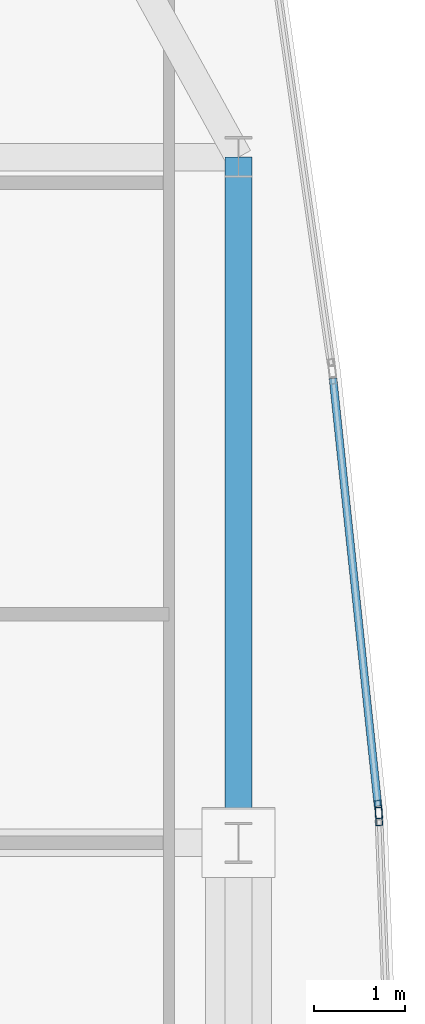
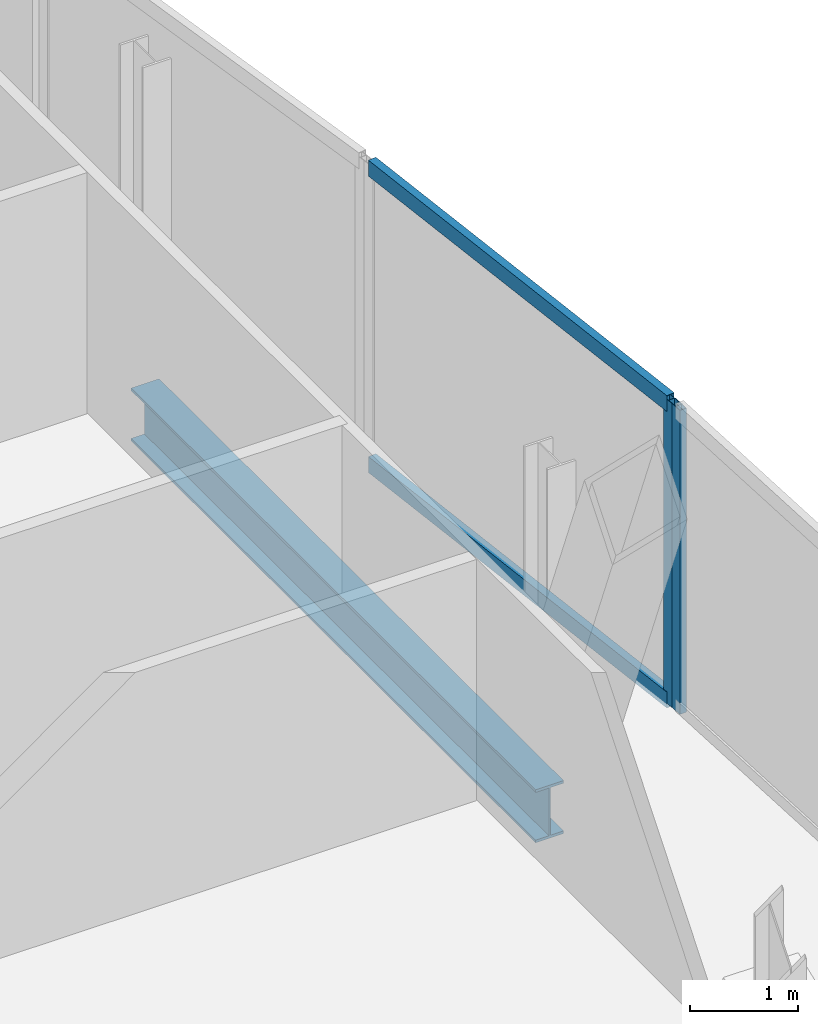
# One storey, part 21 of 32: 4 members, 1 beam, 2 elements without a shape of their own.
"""IFC4 building model written with IfcOpenShell, lengths in metres."""

from ifc_helpers import new_model, si_unit, direction, frame, origin, origin_2d, place, context, subcontext, project, spatial, hollow_rectangle, i_section, extrude, material, material_profile, profile_set, type_object, element, aggregate, save


model = new_model("IFC4")

# Units and contexts
model_context = context("Model", 3, precision=1e-05, world=origin(), true_north=direction((0.0, 1.0)))
body_context = subcontext(model_context, "Body", "Model", "MODEL_VIEW")
ifc_project = project(units=[si_unit("LENGTHUNIT", "METRE"), si_unit("AREAUNIT", "SQUARE_METRE"), si_unit("VOLUMEUNIT", "CUBIC_METRE"), si_unit("PLANEANGLEUNIT", "RADIAN"), si_unit("MASSUNIT", "GRAM", prefix="KILO")], contexts=[model_context])

# Site, building, storey
site_placement = place(None, origin())
site = spatial("IfcSite", under=ifc_project, at=site_placement, CompositionType="ELEMENT")
building_placement = place(site_placement, origin())
building = spatial("IfcBuilding", under=site, at=building_placement, Name="Khoronbel Lancet Exchange", CompositionType="ELEMENT")
storey_placement = place(building_placement, frame((0.0, 0.0, 199.39990234375)))
storey = spatial("IfcBuildingStorey", under=building, at=storey_placement, Name="L50", CompositionType="ELEMENT", Elevation=199.39990234375)

# Beam
ifc_material_1 = material(Name="Steel S355", Category="steel")
ifc_material_profile_1 = material_profile(ifc_material_1, i_section(OverallWidth=0.300048828125, OverallDepth=0.60009765625, WebThickness=0.015380859375, FlangeThickness=0.030029296875, at=origin_2d()), Name="HEB 600")
ifc_profile_set_1 = profile_set([ifc_material_profile_1], Name="Steel S355")
beam_type = type_object("IfcBeamType", Name="BM-BSP2", PredefinedType="SPANDREL", material=ifc_profile_set_1)
beam_placement = place(storey_placement, frame((65.6298828125, 35.699951171875, -0.4599609375), z_axis=(0.0, 1.0, 0.0), x_axis=(-1.0, 0.0, 0.0)))
element("IfcBeam", 1, at=beam_placement, inside=storey, type_object=beam_type, Name="Level L50 perimeter spandrel beam SP14", PredefinedType="SPANDREL", context=body_context, shape_type="SweptSolid", body=[
    extrude(i_section(OverallWidth=0.300048828125, OverallDepth=0.60009765625, WebThickness=0.015380859375, FlangeThickness=0.030029296875, at=origin_2d()), origin(), (0.0, 0.0, 1.0), 7.5),
])

# Curtain wall, member
ifc_material_2 = material(Name="Low-E Solar Control Insulating Glass", Category="glass")
curtain_wall_type = type_object("IfcCurtainWallType", Name="CW-4", PredefinedType="NOTDEFINED", material=ifc_material_2)
curtain_wall_1_placement = place(storey_placement, origin())
curtain_wall_1 = element("IfcCurtainWall", 2, at=curtain_wall_1_placement, inside=storey, type_object=curtain_wall_type, Name="Unitised curtain wall CW-L50-E18", PredefinedType="NOTDEFINED")
ifc_material_3 = material(Name="Bronze-Anodised Aluminium 6063-T6", Category="aluminium")
ifc_material_profile_2 = material_profile(ifc_material_3, hollow_rectangle(XDim=0.074951171875, YDim=0.199951171875, WallThickness=0.0048828125, at=origin_2d()), Name="ALU MULLION 75x200")
ifc_profile_set_2 = profile_set([ifc_material_profile_2], Name="Bronze-Anodised Aluminium 6063-T6")
member_type_1 = type_object("IfcMemberType", Name="MEM-CWM2", PredefinedType="MULLION", material=ifc_profile_set_2)
member_1_placement = place(storey_placement, frame((67.159912109375, 36.064208984375, 0.0), z_axis=(0.0, 0.0, 1.0), x_axis=(0.994505340069, 0.104685856606, 0.0)))
member_1 = element("IfcMember", 3, at=member_1_placement, type_object=member_type_1, Name="CW4 mullion 2", PredefinedType="MULLION", context=body_context, shape_type="SweptSolid", body=[
    extrude(hollow_rectangle(XDim=0.074951171875, YDim=0.199951171875, WallThickness=0.0048828125, at=origin_2d()), origin(), (0.0, 0.0, 1.0), 3.440185546875),
])

curtain_wall_2_placement = place(storey_placement, origin())
curtain_wall_2 = element("IfcCurtainWall", 4, at=curtain_wall_2_placement, inside=storey, type_object=curtain_wall_type, Name="Unitised curtain wall CW-L50-E19", PredefinedType="NOTDEFINED")
member_2_placement = place(storey_placement, frame((67.165283203125, 35.9892578125, 0.0), z_axis=(0.0, 0.0, 1.0), x_axis=(0.999259155008, 0.038485596441, 0.0)))
member_2 = element("IfcMember", 5, at=member_2_placement, type_object=member_type_1, Name="CW4 mullion 1", PredefinedType="MULLION", context=body_context, shape_type="SweptSolid", body=[
    extrude(hollow_rectangle(XDim=0.074951171875, YDim=0.199951171875, WallThickness=0.0048828125, at=origin_2d()), origin(), (0.0, 0.0, 1.0), 3.440185546875),
])
aggregate(curtain_wall_2, [member_2])

# Member
ifc_material_profile_3 = material_profile(ifc_material_3, hollow_rectangle(XDim=0.0849609375, YDim=0.179931640625, WallThickness=0.0048828125, at=origin_2d()), Name="ALU TRANSOM 85x180")
ifc_profile_set_3 = profile_set([ifc_material_profile_3], Name="Bronze-Anodised Aluminium 6063-T6")
member_type_2 = type_object("IfcMemberType", Name="MEM-CWT1", PredefinedType="USERDEFINED", material=ifc_profile_set_3)
member_3_placement = place(storey_placement, frame((66.663330078125, 40.781005859375, 0.04248046875), z_axis=(0.104700989227, -0.994503747029, 0.0), x_axis=(0.994503747029, 0.104700989227, 0.0)))
member_3 = element("IfcMember", 6, at=member_3_placement, type_object=member_type_2, Name="CW4 transom 1.1", ObjectType="TRANSOM", PredefinedType="USERDEFINED", context=body_context, shape_type="SweptSolid", body=[
    extrude(hollow_rectangle(XDim=0.0849609375, YDim=0.179931640625, WallThickness=0.0048828125, at=origin_2d()), origin(), (0.0, 0.0, 1.0), 4.70556640625),
])

member_4_placement = place(storey_placement, frame((66.663330078125, 40.781005859375, 3.397705078125), z_axis=(0.104700989227, -0.994503747029, 0.0), x_axis=(0.994503747029, 0.104700989227, 0.0)))
member_4 = element("IfcMember", 7, at=member_4_placement, type_object=member_type_2, Name="CW4 transom 1.2", ObjectType="TRANSOM", PredefinedType="USERDEFINED", context=body_context, shape_type="SweptSolid", body=[
    extrude(hollow_rectangle(XDim=0.0849609375, YDim=0.179931640625, WallThickness=0.0048828125, at=origin_2d()), origin(), (0.0, 0.0, 1.0), 4.70556640625),
])

aggregate(curtain_wall_1, [member_1, member_3, member_4])

save(model, "model.ifc")
